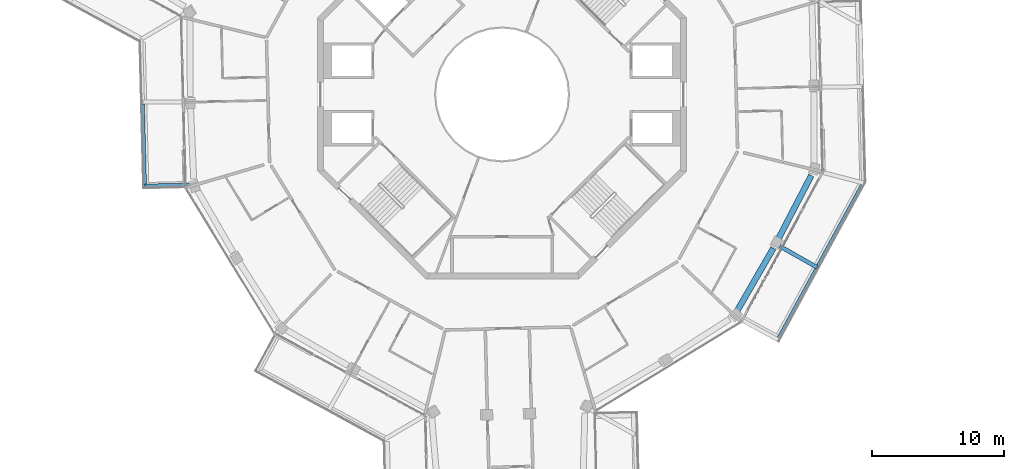
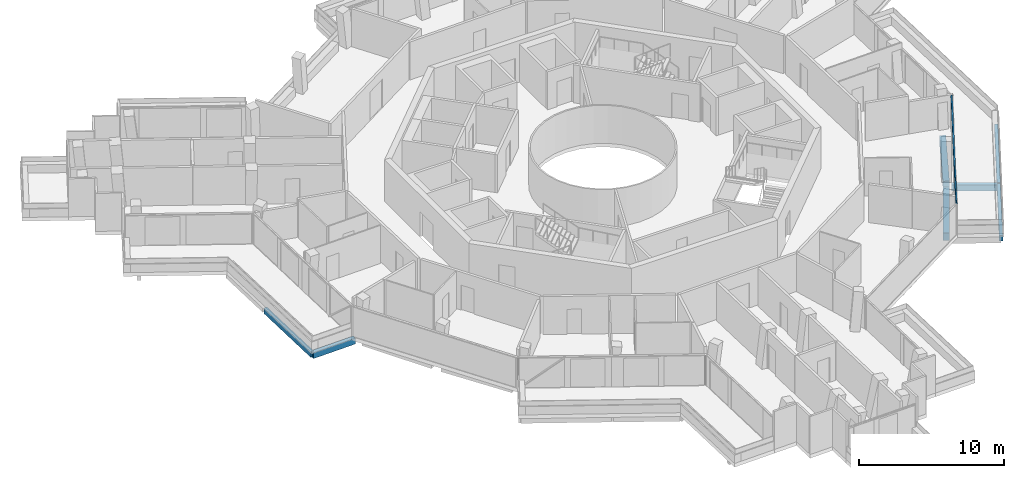
# One storey, part 4 of 26: 7 beams, 1 member, 1 element without a shape of its own.
"""IFC4 building model written with IfcOpenShell, lengths in metres."""

from ifc_helpers import new_model, si_unit, direction, frame, origin, origin_2d, place, context, subcontext, project, spatial, rectangle, extrude, material, layer, layer_set, material_profile, profile_set, type_object, element, aggregate, save


model = new_model("IFC4")

# Units and contexts
model_context = context("Model", 3, precision=1e-05, world=origin(), true_north=direction((0.0, 1.0)))
body_context = subcontext(model_context, "Body", "Model", "MODEL_VIEW")
ifc_project = project(units=[si_unit("LENGTHUNIT", "METRE"), si_unit("AREAUNIT", "SQUARE_METRE"), si_unit("VOLUMEUNIT", "CUBIC_METRE"), si_unit("PLANEANGLEUNIT", "RADIAN"), si_unit("MASSUNIT", "GRAM", prefix="KILO")], contexts=[model_context])

# Site, building, storey
site_placement = place(None, origin())
site = spatial("IfcSite", under=ifc_project, at=site_placement, CompositionType="ELEMENT")
building_placement = place(site_placement, origin())
building = spatial("IfcBuilding", under=site, at=building_placement, Name="Verdalira Terraces Hotel", CompositionType="ELEMENT")
storey_placement = place(building_placement, frame((0.0, 0.0, 284.5)))
storey = spatial("IfcBuildingStorey", under=building, at=storey_placement, Name="L70", CompositionType="ELEMENT", Elevation=284.5)

# Beams
ifc_material_1 = material(Name="Concrete C40", Category="concrete")
ifc_material_profile_1 = material_profile(ifc_material_1, rectangle(XDim=0.300049, YDim=0.5, at=origin_2d()), Name="RC 300X500")
ifc_profile_set_1 = profile_set([ifc_material_profile_1], Name="Concrete C40")
beam_type_1 = type_object("IfcBeamType", Name="Balcony cantilever beam RC 300X500 C40", PredefinedType="BEAM", material=ifc_profile_set_1)
beam_1_placement = place(storey_placement, frame((-23.723145, -6.86499, -0.560059), z_axis=(-0.999684016, -0.025136982, 0.0), x_axis=(0.025136982, -0.999684016, 0.0)))
element("IfcBeam", 1, at=beam_1_placement, inside=storey, type_object=beam_type_1, Name="Balcony cantilever beam R10-3", PredefinedType="BEAM", context=body_context, shape_type="SweptSolid", body=[
    extrude(rectangle(XDim=0.300049, YDim=0.5, at=origin_2d()), origin(), (0.0, 0.0, 1.0), 3.370117),
])
beam_2_placement = place(storey_placement, frame((21.066895, -11.513672, -0.560059), z_axis=(0.870200361, -0.492698013, 0.0), x_axis=(0.492698013, 0.870200361, 0.0)))
element("IfcBeam", 2, at=beam_2_placement, inside=storey, type_object=beam_type_1, Name="Balcony cantilever beam R26-2", PredefinedType="BEAM", context=body_context, shape_type="SweptSolid", body=[
    extrude(rectangle(XDim=0.300049, YDim=0.5, at=origin_2d()), origin(), (0.0, 0.0, 1.0), 3.250977),
])
ifc_material_2 = material(Name="Concrete C40", Category="concrete")
ifc_material_profile_2 = material_profile(ifc_material_2, rectangle(XDim=0.25, YDim=0.449951, at=origin_2d()), Name="RC 250X450")
ifc_profile_set_2 = profile_set([ifc_material_profile_2], Name="Concrete C40")
beam_type_2 = type_object("IfcBeamType", Name="Balcony edge beam RC 250X450 C40", PredefinedType="BEAM", material=ifc_profile_set_2)
beam_3_placement = place(storey_placement, frame((-27.248291, -0.739502, -0.534912), z_axis=(0.025112964, -0.99968462, 0.0), x_axis=(0.99968462, 0.025112964, 0.0)))
element("IfcBeam", 3, at=beam_3_placement, inside=storey, type_object=beam_type_2, Name="Balcony edge beam R10-2", PredefinedType="BEAM", context=body_context, shape_type="SweptSolid", body=[
    extrude(rectangle(XDim=0.25, YDim=0.449951, at=origin_2d()), origin(), (0.0, 0.0, 1.0), 6.212158),
])
beam_4_placement = place(storey_placement, frame((20.912109, -18.597168, -0.534912), z_axis=(0.478095513, 0.878307851, 0.0), x_axis=(-0.878307851, 0.478095513, 0.0)))
element("IfcBeam", 4, at=beam_4_placement, inside=storey, type_object=beam_type_2, Name="Balcony edge beam R26-1", PredefinedType="BEAM", context=body_context, shape_type="SweptSolid", body=[
    extrude(rectangle(XDim=0.25, YDim=0.449951, at=origin_2d()), origin(), (0.0, 0.0, 1.0), 6.241211),
])
beam_5_placement = place(storey_placement, frame((23.967773, -12.983887, -0.534912), z_axis=(0.478773845, 0.87793827, 0.0), x_axis=(-0.87793827, 0.478773845, 0.0)))
element("IfcBeam", 5, at=beam_5_placement, inside=storey, type_object=beam_type_2, Name="Balcony edge beam R26-2", PredefinedType="BEAM", context=body_context, shape_type="SweptSolid", body=[
    extrude(rectangle(XDim=0.25, YDim=0.449951, at=origin_2d()), origin(), (0.0, 0.0, 1.0), 6.992188),
])

# Curtain wall, member
ifc_material_3 = material(Name="Clear glass", Category="glass")
ifc_layer = layer(ifc_material_3, 0.14990234375)
ifc_layer_set = layer_set([ifc_layer], Name="CW1 curtain wall")
curtain_wall_type = type_object("IfcCurtainWallType", Name="CW1 curtain wall", PredefinedType="NOTDEFINED", material=ifc_layer_set)
curtain_wall_placement = place(storey_placement, origin())
curtain_wall = element("IfcCurtainWall", 6, at=curtain_wall_placement, inside=storey, type_object=curtain_wall_type, Name="CW1 curtain wall L70 edge 26", PredefinedType="NOTDEFINED")
ifc_material_4 = material(Name="Terracotta frame", Category="masonry")
ifc_material_profile_3 = material_profile(ifc_material_4, rectangle(XDim=0.110107, YDim=0.064941, at=origin_2d()), Name="TR 65x110")
ifc_profile_set_3 = profile_set([ifc_material_profile_3], Name="Terracotta frame")
member_type = type_object("IfcMemberType", Name="CW1 transom 65x110", PredefinedType="USERDEFINED", material=ifc_profile_set_3)
member_placement = place(storey_placement, frame((18.152344, -17.235352, 2.557617), z_axis=(0.47806947, 0.878322026, 0.0), x_axis=(-0.878322026, 0.47806947, 0.0)))
member = element("IfcMember", 7, at=member_placement, type_object=member_type, Name="CW1 transom", ObjectType="TRANSOM", PredefinedType="USERDEFINED", context=body_context, shape_type="SweptSolid", body=[
    extrude(rectangle(XDim=0.110107, YDim=0.064941, at=origin_2d()), origin(), (0.0, 0.0, 1.0), 12.919678),
])
aggregate(curtain_wall, [member])

# Beams
ifc_material_5 = material(Name="Concrete C40", Category="concrete")
ifc_material_profile_4 = material_profile(ifc_material_5, rectangle(XDim=0.449951, YDim=0.600098, at=origin_2d()), Name="RC 450X600")
ifc_profile_set_4 = profile_set([ifc_material_profile_4], Name="Concrete C40")
beam_type_3 = type_object("IfcBeamType", Name="Spandrel beam RC 450X600 C40", PredefinedType="SPANDREL", material=ifc_profile_set_4)
beam_6_placement = place(storey_placement, frame((17.807617, -16.460205, -0.610107), z_axis=(0.50001322, 0.866017771, 0.0), x_axis=(-0.866017771, 0.50001322, 0.0)))
element("IfcBeam", 8, at=beam_6_placement, inside=storey, type_object=beam_type_3, Name="Spandrel beam B15", PredefinedType="SPANDREL", context=body_context, shape_type="SweptSolid", body=[
    extrude(rectangle(XDim=0.449951, YDim=0.600098, at=origin_2d()), origin(), (0.0, 0.0, 1.0), 5.523682),
])
beam_7_placement = place(storey_placement, frame((20.913086, -11.049316, -0.610107), z_axis=(0.461026911, 0.887386155, 0.0), x_axis=(-0.887386155, 0.461026911, 0.0)))
element("IfcBeam", 9, at=beam_7_placement, inside=storey, type_object=beam_type_3, Name="Spandrel beam B16", PredefinedType="SPANDREL", context=body_context, shape_type="SweptSolid", body=[
    extrude(rectangle(XDim=0.449951, YDim=0.600098, at=origin_2d()), origin(), (0.0, 0.0, 1.0), 5.52124),
])

save(model, "model.ifc")
